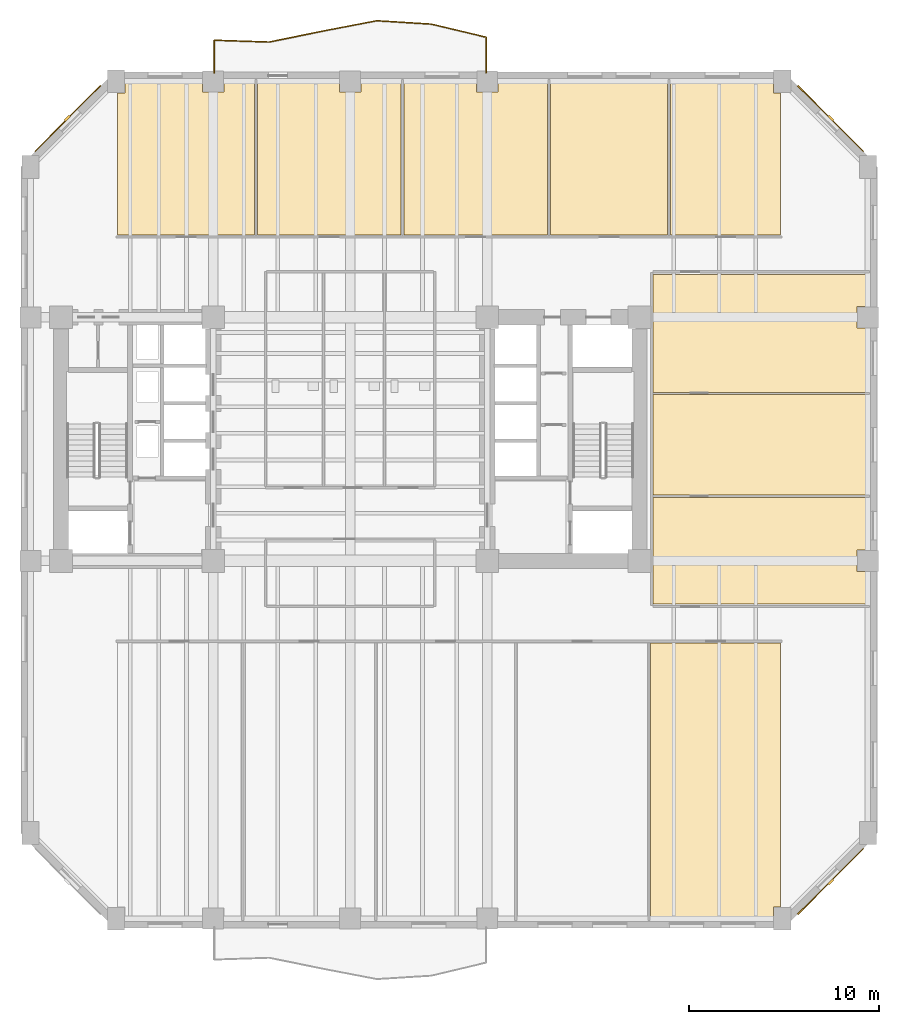
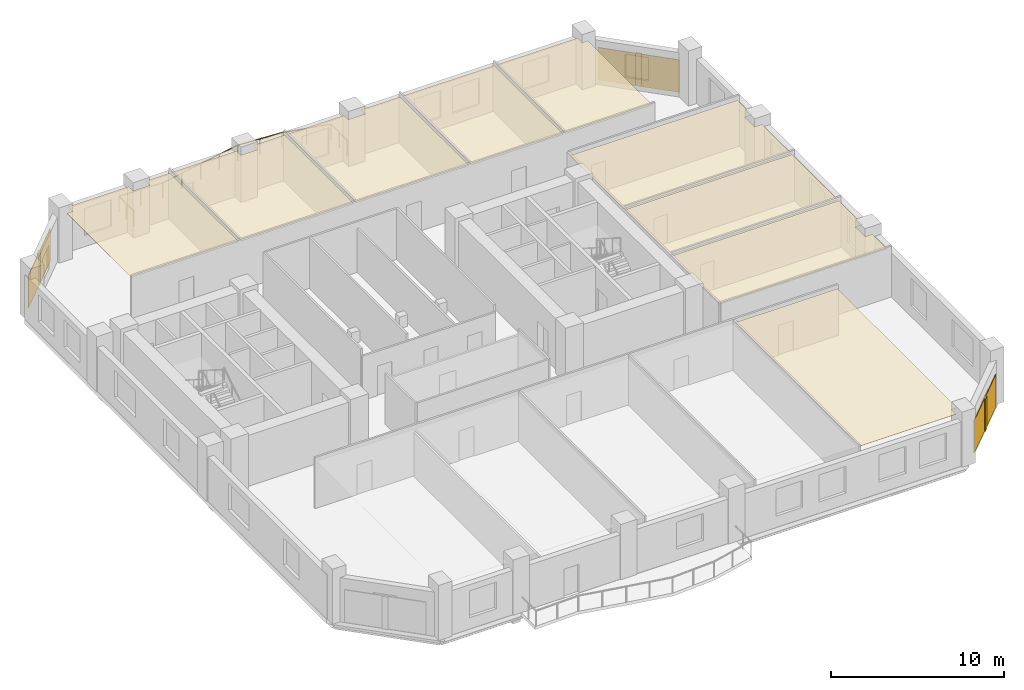
# One storey, part 8 of 9: 12 coverings, 3 shading devices, 1 railing.
"""IFC4 building model written with IfcOpenShell, lengths in metres."""

from ifc_helpers import new_model, si_unit, direction, frame, origin, origin_2d, place, context, subcontext, project, spatial, polyline, rectangle, circle, outline, extrude, material, layer, layer_set, type_object, element, save


model = new_model("IFC4")

# Units and contexts
model_context = context("Model", 3, precision=1e-05, world=origin(), true_north=direction((0.0, 1.0)))
body_context = subcontext(model_context, "Body", "Model", "MODEL_VIEW")
ifc_project = project(units=[si_unit("LENGTHUNIT", "METRE"), si_unit("AREAUNIT", "SQUARE_METRE"), si_unit("VOLUMEUNIT", "CUBIC_METRE"), si_unit("PLANEANGLEUNIT", "RADIAN"), si_unit("MASSUNIT", "GRAM", prefix="KILO")], contexts=[model_context])

# Site, building, storey
site_placement = place(None, origin())
site = spatial("IfcSite", under=ifc_project, at=site_placement, CompositionType="ELEMENT")
building_placement = place(site_placement, origin())
building = spatial("IfcBuilding", under=site, at=building_placement, Name="Kranthara Brick Stack", CompositionType="ELEMENT")
storey_placement = place(building_placement, frame((0.0, 0.0, 63.300048828125)))
storey = spatial("IfcBuildingStorey", under=building, at=storey_placement, Name="L15", CompositionType="ELEMENT", Elevation=63.300048828125)

# Coverings
ifc_material_1 = material(Name="Perforated mineral-fibre acoustic ceiling tile", Category="other")
ifc_layer_1 = layer(ifc_material_1, 0.02490234375)
ifc_layer_set_1 = layer_set([ifc_layer_1], Name="Perforated mineral-fibre acoustic ceiling tile")
covering_type_1 = type_object("IfcCoveringType", Name="COV-CEIL-ACOUSTIC", PredefinedType="CEILING", material=ifc_layer_set_1)
covering_1_placement = place(storey_placement, frame((0.0, 0.0, 3.329833984375)))
element("IfcCovering", 1, at=covering_1_placement, inside=storey, type_object=covering_type_1, Name="L15 L15 Focus Study Room 5 Acoustic Ceiling", PredefinedType="CEILING", context=body_context, shape_type="SweptSolid", body=[
    extrude(outline(polyline([(43.780029296875, 2.070068359375), (43.780029296875, 16.47998046875), (50.6201171875, 16.47998046875), (50.6201171875, 2.610107421875), (50.239990234375, 2.610107421875), (50.239990234375, 2.070068359375), (43.780029296875, 2.070068359375)])), origin(), (0.0, 0.0, 1.0), 0.025146484375),
])
covering_2_placement = place(storey_placement, frame((0.0, 0.0, 3.329833984375)))
element("IfcCovering", 2, at=covering_2_placement, inside=storey, type_object=covering_type_1, Name="L15 L15 Meeting Room 1 Acoustic Ceiling", PredefinedType="CEILING", context=body_context, shape_type="SweptSolid", body=[
    extrude(outline(polyline([(22.969970703125, 37.919921875), (15.780029296875, 37.919921875), (15.780029296875, 45.389892578125), (16.159912109375, 45.389892578125), (16.159912109375, 45.929931640625), (20.239990234375, 45.929931640625), (20.239990234375, 45.43994140625), (21.360107421875, 45.43994140625), (21.360107421875, 45.929931640625), (22.969970703125, 45.929931640625), (22.969970703125, 37.919921875)])), origin(), (0.0, 0.0, 1.0), 0.025146484375),
])
covering_3_placement = place(storey_placement, frame((0.0, 0.0, 3.329833984375)))
element("IfcCovering", 3, at=covering_3_placement, inside=storey, type_object=covering_type_1, Name="L15 L15 Meeting Room 2 Acoustic Ceiling", PredefinedType="CEILING", context=body_context, shape_type="SweptSolid", body=[
    extrude(outline(polyline([(30.669921875, 45.929931640625), (30.669921875, 37.919921875), (23.1298828125, 37.919921875), (23.1298828125, 45.929931640625), (27.43994140625, 45.929931640625), (27.43994140625, 45.43994140625), (28.56005859375, 45.43994140625), (28.56005859375, 45.929931640625), (30.669921875, 45.929931640625)])), origin(), (0.0, 0.0, 1.0), 0.025146484375),
])
covering_4_placement = place(storey_placement, frame((0.0, 0.0, 3.329833984375)))
element("IfcCovering", 4, at=covering_4_placement, inside=storey, type_object=covering_type_1, Name="L15 L15 Meeting Room 3 Acoustic Ceiling", PredefinedType="CEILING", context=body_context, shape_type="SweptSolid", body=[
    extrude(outline(polyline([(38.3701171875, 45.929931640625), (38.3701171875, 37.919921875), (30.830078125, 37.919921875), (30.830078125, 45.929931640625), (34.639892578125, 45.929931640625), (34.639892578125, 45.43994140625), (35.760009765625, 45.43994140625), (35.760009765625, 45.929931640625), (38.3701171875, 45.929931640625)])), origin(), (0.0, 0.0, 1.0), 0.025146484375),
])
covering_5_placement = place(storey_placement, frame((0.0, 0.0, 3.329833984375)))
element("IfcCovering", 5, at=covering_5_placement, inside=storey, type_object=covering_type_1, Name="L15 L15 Boardroom 4 Acoustic Ceiling", PredefinedType="CEILING", context=body_context, shape_type="SweptSolid", body=[
    extrude(outline(polyline([(44.669921875, 37.919921875), (44.669921875, 45.929931640625), (38.530029296875, 45.929931640625), (38.530029296875, 37.919921875), (44.669921875, 37.919921875)])), origin(), (0.0, 0.0, 1.0), 0.025146484375),
])
covering_6_placement = place(storey_placement, frame((0.0, 0.0, 3.329833984375)))
element("IfcCovering", 6, at=covering_6_placement, inside=storey, type_object=covering_type_1, Name="L15 L15 Staff Pantry 5 Acoustic Ceiling", PredefinedType="CEILING", context=body_context, shape_type="SweptSolid", body=[
    extrude(outline(polyline([(50.6201171875, 37.919921875), (44.830078125, 37.919921875), (44.830078125, 45.929931640625), (50.239990234375, 45.929931640625), (50.239990234375, 45.389892578125), (50.6201171875, 45.389892578125), (50.6201171875, 37.919921875)])), origin(), (0.0, 0.0, 1.0), 0.025146484375),
])
covering_7_placement = place(storey_placement, frame((0.0, 0.0, 3.329833984375)))
element("IfcCovering", 7, at=covering_7_placement, inside=storey, type_object=covering_type_1, Name="L15 L15 East Client Office 1 Acoustic Ceiling", PredefinedType="CEILING", context=body_context, shape_type="SweptSolid", body=[
    extrude(outline(polyline([(55.1298828125, 18.5400390625), (43.919921875, 18.5400390625), (43.919921875, 24.139892578125), (55.1298828125, 24.139892578125), (55.1298828125, 21.360107421875), (54.639892578125, 21.360107421875), (54.639892578125, 20.239990234375), (55.1298828125, 20.239990234375), (55.1298828125, 18.5400390625)])), origin(), (0.0, 0.0, 1.0), 0.025146484375),
])
covering_8_placement = place(storey_placement, frame((0.0, 0.0, 3.329833984375)))
element("IfcCovering", 8, at=covering_8_placement, inside=storey, type_object=covering_type_1, Name="L15 L15 East Client Office 2 Acoustic Ceiling", PredefinedType="CEILING", context=body_context, shape_type="SweptSolid", body=[
    extrude(outline(polyline([(55.1298828125, 24.260009765625), (55.1298828125, 29.5400390625), (43.919921875, 29.5400390625), (43.919921875, 24.260009765625), (55.1298828125, 24.260009765625)])), origin(), (0.0, 0.0, 1.0), 0.025146484375),
])
covering_9_placement = place(storey_placement, frame((0.0, 0.0, 3.329833984375)))
element("IfcCovering", 9, at=covering_9_placement, inside=storey, type_object=covering_type_1, Name="L15 L15 East Client Office 3 Acoustic Ceiling", PredefinedType="CEILING", context=body_context, shape_type="SweptSolid", body=[
    extrude(outline(polyline([(55.1298828125, 29.659912109375), (43.919921875, 29.659912109375), (43.919921875, 35.860107421875), (55.1298828125, 35.860107421875), (55.1298828125, 34.159912109375), (54.639892578125, 34.159912109375), (54.639892578125, 33.0400390625), (55.1298828125, 33.0400390625), (55.1298828125, 29.659912109375)])), origin(), (0.0, 0.0, 1.0), 0.025146484375),
])
ifc_material_2 = material(Name="Warm buff kiln-fired brick slip rainscreen", Category="masonry")
ifc_layer_2 = layer(ifc_material_2, 0.044921875)
ifc_layer_set_2 = layer_set([ifc_layer_2], Name="Warm buff kiln-fired brick slip rainscreen")
covering_type_2 = type_object("IfcCoveringType", Name="COV-CLAD-BRICK", PredefinedType="CLADDING", material=ifc_layer_set_2)
for number, where, z_axis, x_axis, name in (
    (10, (13.156494140625, 44.04345703125, 0.0498046875), (0.0, 0.0, 1.0), (0.707106781187, 0.707106781187, 0.0), "L15 Chamfer Brick Rainscreen Cladding NW"),
    (11, (53.243408203125, 44.04345703125, 0.0498046875), (0.0, 0.0, 1.0), (0.707106781187, -0.707106781187, 0.0), "L15 Chamfer Brick Rainscreen Cladding NE"),
    (12, (53.243408203125, 3.95654296875, 0.0498046875), (0.0, 0.0, 1.0), (-0.707106781187, -0.707106781187, 0.0), "L15 Chamfer Brick Rainscreen Cladding SE"),
):
    element("IfcCovering", number, at=place(storey_placement, frame(where, z_axis=z_axis, x_axis=x_axis)), inside=storey, type_object=covering_type_2, Name=name, PredefinedType="CLADDING", context=body_context, shape_type="SweptSolid", body=[
        extrude(rectangle(XDim=4.876953125, YDim=0.044921875, at=origin_2d()), origin(), (0.0, 0.0, 1.0), 2.300048828125),
    ])

# Railing
ifc_material_3 = material(Name="Bronze anodised aluminium and laminated glass balustrade", Category="aluminium")
railing_type = type_object("IfcRailingType", Name="RL-BALC-1120", PredefinedType="BALUSTRADE", material=ifc_material_3)
railing_placement = place(storey_placement, frame((20.860107421875, 46.43994140625, 0.0)))
element("IfcRailing", 13, at=railing_placement, inside=storey, type_object=railing_type, Name="L15 North Rippling Balcony Balustrade", PredefinedType="BALUSTRADE", context=body_context, shape_type="SweptSolid", body=[
    extrude(circle(Radius=0.02392578125, at=origin_2d()), frame((0.0, 0.0, 1.09619140625), z_axis=(0.0, 1.0, 0.0), x_axis=(-1.0, 0.0, 0.0)), (0.0, 0.0, 1.0), 1.7197265625),
    extrude(circle(Radius=0.02392578125, at=origin_2d()), frame((0.0, 1.7197265625, 1.09619140625), z_axis=(0.999451096123, -0.033128635011, 0.0), x_axis=(0.033128635011, 0.999451096123, 0.0)), (0.0, 0.0, 1.0), 2.88134765625),
    extrude(circle(Radius=0.02392578125, at=origin_2d()), frame((2.8798828125, 1.624267578125, 1.09619140625), z_axis=(0.979893120371, 0.199523113072, 0.0), x_axis=(-0.199523113072, 0.979893120371, 0.0)), (0.0, 0.0, 1.0), 2.934326171875),
    extrude(circle(Radius=0.02392578125, at=origin_2d()), frame((5.755126953125, 2.209716796875, 1.09619140625), z_axis=(0.982010755583, 0.18882498754, 0.0), x_axis=(-0.18882498754, 0.982010755583, 0.0)), (0.0, 0.0, 1.0), 2.828857421875),
    extrude(circle(Radius=0.02392578125, at=origin_2d()), frame((8.533203125, 2.743896484375, 1.09619140625), z_axis=(0.998095970704, -0.061680088077, 0.0), x_axis=(0.061680088077, 0.998095970704, 0.0)), (0.0, 0.0, 1.0), 2.87353515625),
    extrude(circle(Radius=0.02392578125, at=origin_2d()), frame((11.4013671875, 2.566650390625, 1.09619140625), z_axis=(0.972659966669, -0.232233910617, 0.0), x_axis=(0.232233910617, 0.972659966669, 0.0)), (0.0, 0.0, 1.0), 2.959228515625),
    extrude(circle(Radius=0.02392578125, at=origin_2d()), frame((14.27978515625, 1.87939453125, 1.09619140625), z_axis=(0.0, -1.0, 0.0), x_axis=(1.0, 0.0, 0.0)), (0.0, 0.0, 1.0), 1.87939453125),
    extrude(circle(Radius=0.02099609375, at=origin_2d()), origin(), (0.0, 0.0, 1.0), 1.072021484375),
    extrude(circle(Radius=0.02099609375, at=origin_2d()), frame((0.0, 0.85986328125, 0.0)), (0.0, 0.0, 1.0), 1.072021484375),
    extrude(circle(Radius=0.02099609375, at=origin_2d()), frame((0.0, 1.7197265625, 0.0)), (0.0, 0.0, 1.0), 1.072021484375),
    extrude(circle(Radius=0.02099609375, at=origin_2d()), frame((1.43994140625, 1.671875, 0.0)), (0.0, 0.0, 1.0), 1.072021484375),
    extrude(circle(Radius=0.02099609375, at=origin_2d()), frame((2.8798828125, 1.624267578125, 0.0)), (0.0, 0.0, 1.0), 1.072021484375),
    extrude(circle(Radius=0.02099609375, at=origin_2d()), frame((4.3173828125, 1.9169921875, 0.0)), (0.0, 0.0, 1.0), 1.072021484375),
    extrude(circle(Radius=0.02099609375, at=origin_2d()), frame((5.755126953125, 2.209716796875, 0.0)), (0.0, 0.0, 1.0), 1.072021484375),
    extrude(circle(Radius=0.02099609375, at=origin_2d()), frame((7.14404296875, 2.476806640625, 0.0)), (0.0, 0.0, 1.0), 1.072021484375),
    extrude(circle(Radius=0.02099609375, at=origin_2d()), frame((8.533203125, 2.743896484375, 0.0)), (0.0, 0.0, 1.0), 1.072021484375),
    extrude(circle(Radius=0.02099609375, at=origin_2d()), frame((9.96728515625, 2.6552734375, 0.0)), (0.0, 0.0, 1.0), 1.072021484375),
    extrude(circle(Radius=0.02099609375, at=origin_2d()), frame((11.4013671875, 2.566650390625, 0.0)), (0.0, 0.0, 1.0), 1.072021484375),
    extrude(circle(Radius=0.02099609375, at=origin_2d()), frame((12.840576171875, 2.22314453125, 0.0)), (0.0, 0.0, 1.0), 1.072021484375),
    extrude(circle(Radius=0.02099609375, at=origin_2d()), frame((14.27978515625, 1.87939453125, 0.0)), (0.0, 0.0, 1.0), 1.072021484375),
    extrude(circle(Radius=0.02099609375, at=origin_2d()), frame((14.27978515625, 0.939697265625, 0.0)), (0.0, 0.0, 1.0), 1.072021484375),
    extrude(circle(Radius=0.02099609375, at=origin_2d()), frame((14.27978515625, 0.0, 0.0)), (0.0, 0.0, 1.0), 1.072021484375),
])

# Shading devices
ifc_material_4 = material(Name="Kiln-fired terracotta aerodynamic wind fin", Category="masonry")
shading_device_type = type_object("IfcShadingDeviceType", Name="SHD-BAFFLE-CORNER", PredefinedType="SHUTTER", material=ifc_material_4)
for number, where, z_axis, x_axis, name in (
    (14, (13.13525390625, 44.064697265625, 0.0498046875), (0.0, 0.0, 1.0), (0.707106781187, 0.707106781187, 0.0), "L15 Chamfer Wind-Baffle Fin NW"),
    (15, (53.2646484375, 44.064697265625, 0.0498046875), (0.0, 0.0, 1.0), (0.707106781187, -0.707106781187, 0.0), "L15 Chamfer Wind-Baffle Fin NE"),
    (16, (53.2646484375, 3.935302734375, 0.0498046875), (0.0, 0.0, 1.0), (-0.707106781187, -0.707106781187, 0.0), "L15 Chamfer Wind-Baffle Fin SE"),
):
    element("IfcShadingDevice", number, at=place(storey_placement, frame(where, z_axis=z_axis, x_axis=x_axis)), inside=storey, type_object=shading_device_type, Name=name, PredefinedType="SHUTTER", context=body_context, shape_type="SweptSolid", body=[
        extrude(rectangle(XDim=0.35009765625, YDim=0.1201171875, at=origin_2d()), origin(), (0.0, 0.0, 1.0), 2.300048828125),
    ])

save(model, "model.ifc")
